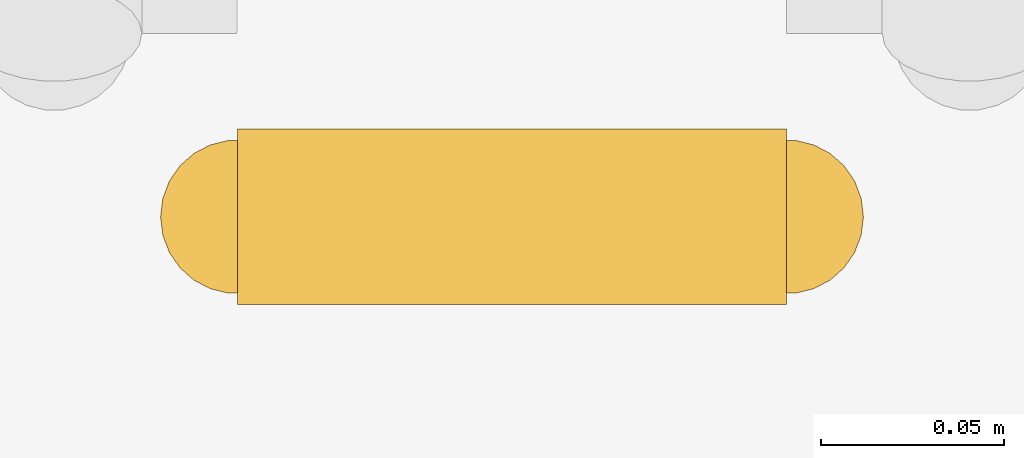
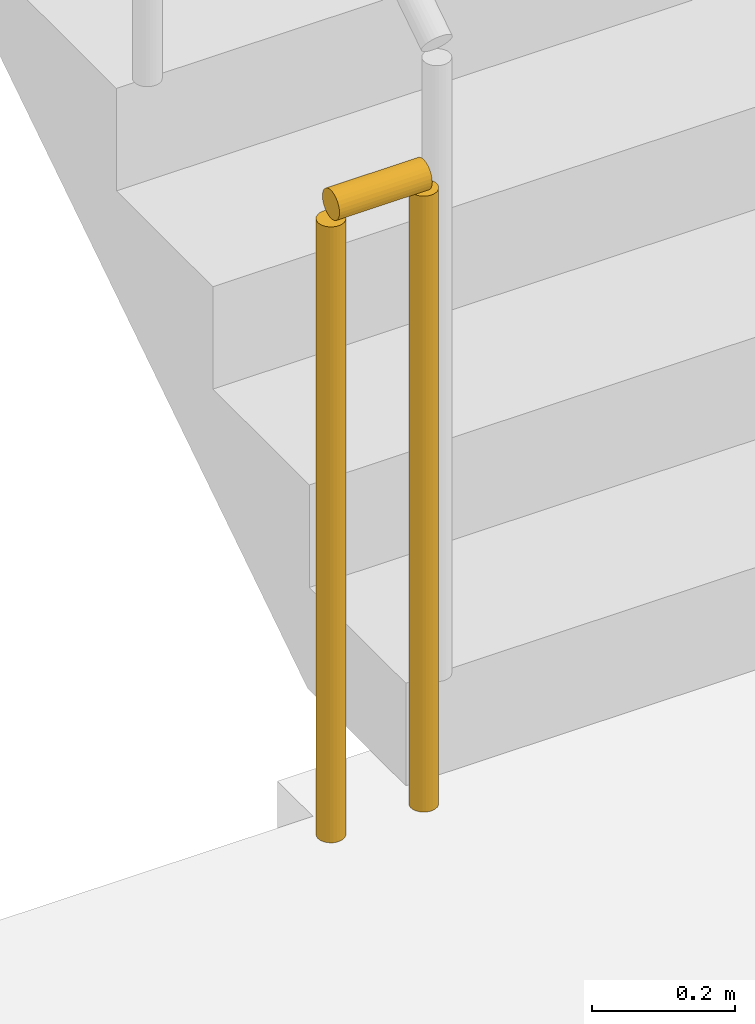
# One storey, part 15 of 20: 1 railing.
"""IFC4 building model written with IfcOpenShell, lengths in metres."""

from ifc_helpers import new_model, si_unit, direction, frame, origin, origin_2d, place, context, subcontext, project, spatial, circle, extrude, material, type_object, element, save


model = new_model("IFC4")

# Units and contexts
model_context = context("Model", 3, precision=1e-05, world=origin(), true_north=direction((0.0, 1.0)))
body_context = subcontext(model_context, "Body", "Model", "MODEL_VIEW")
ifc_project = project(units=[si_unit("LENGTHUNIT", "METRE"), si_unit("AREAUNIT", "SQUARE_METRE"), si_unit("VOLUMEUNIT", "CUBIC_METRE"), si_unit("PLANEANGLEUNIT", "RADIAN"), si_unit("MASSUNIT", "GRAM", prefix="KILO")], contexts=[model_context])

# Site, building, storey
site_placement = place(None, origin())
site = spatial("IfcSite", under=ifc_project, at=site_placement, CompositionType="ELEMENT")
building_placement = place(site_placement, origin())
building = spatial("IfcBuilding", under=site, at=building_placement, Name="Saffron Iwan Residences", CompositionType="ELEMENT")
storey_placement = place(building_placement, frame((0.0, 0.0, 199.0)))
storey = spatial("IfcBuildingStorey", under=building, at=storey_placement, Name="L53", CompositionType="ELEMENT", Elevation=199.0)

# Railing
ifc_material = material(Name="Steel S355", Category="steel")
railing_type = type_object("IfcRailingType", Name="Stair guard 1100", PredefinedType="GUARDRAIL", material=ifc_material)
railing_placement = place(storey_placement, frame((31.25, 67.800048828125, 0.0)))
element("IfcRailing", 1, at=railing_placement, inside=storey, type_object=railing_type, Name="L53 ST-W stair guard 2", PredefinedType="GUARDRAIL", context=body_context, shape_type="SweptSolid", body=[
    extrude(circle(Radius=0.02392578125, at=origin_2d()), frame((0.0, 0.0, 1.076171875), z_axis=(-1.0, 0.0, 0.0), x_axis=(0.0, -1.0, 0.0)), (0.0, 0.0, 1.0), 0.14990234375),
    extrude(circle(Radius=0.02099609375, at=origin_2d()), origin(), (0.0, 0.0, 1.0), 1.052001953125),
    extrude(circle(Radius=0.02099609375, at=origin_2d()), frame((-0.14990234375, 0.0, 0.0)), (0.0, 0.0, 1.0), 1.052001953125),
])

save(model, "model.ifc")
